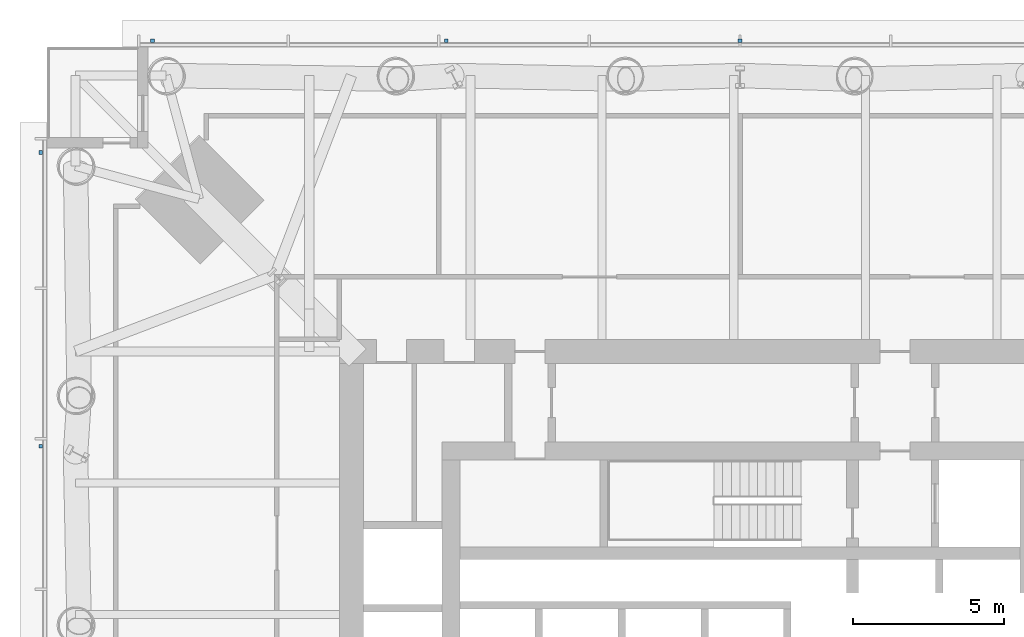
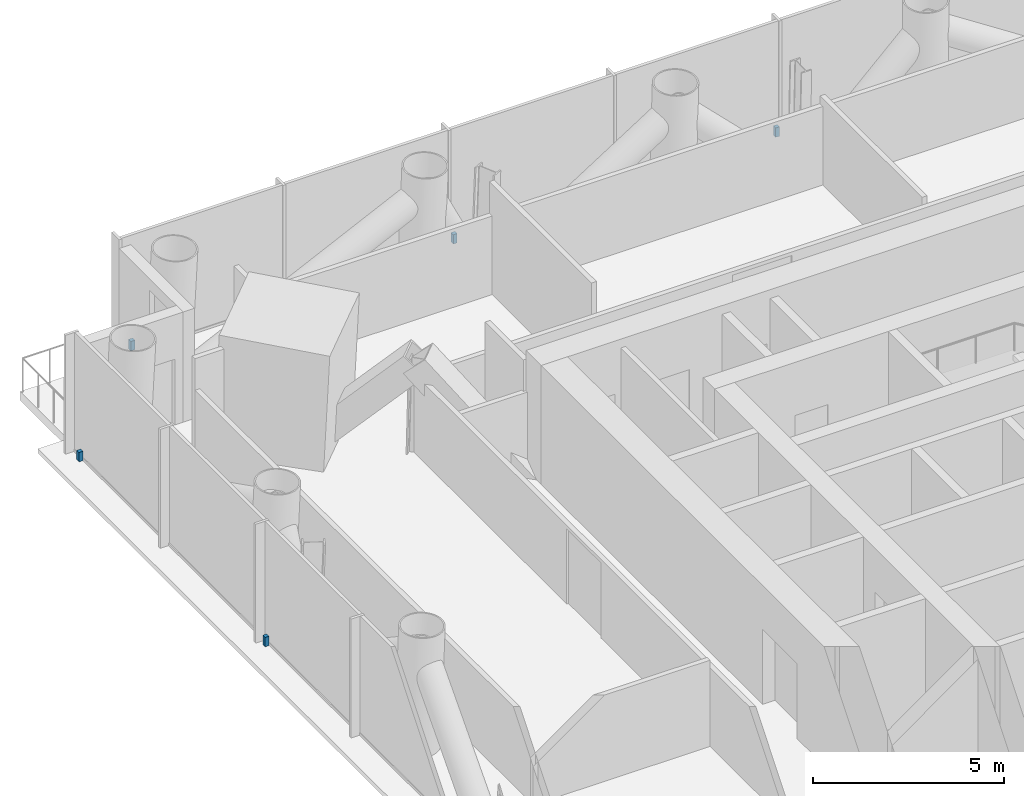
# One storey, part 19 of 28: 5 discrete accessories.
"""IFC4 building model written with IfcOpenShell, lengths in metres."""

from ifc_helpers import new_model, si_unit, direction, frame, origin, origin_2d, place, context, subcontext, project, spatial, rectangle, extrude, material, type_object, element, save


model = new_model("IFC4")

# Units and contexts
model_context = context("Model", 3, precision=1e-05, world=origin(), true_north=direction((0.0, 1.0)))
body_context = subcontext(model_context, "Body", "Model", "MODEL_VIEW")
ifc_project = project(units=[si_unit("LENGTHUNIT", "METRE"), si_unit("AREAUNIT", "SQUARE_METRE"), si_unit("VOLUMEUNIT", "CUBIC_METRE"), si_unit("PLANEANGLEUNIT", "RADIAN"), si_unit("MASSUNIT", "GRAM", prefix="KILO")], contexts=[model_context])

# Site, building, storey
site_placement = place(None, origin())
site = spatial("IfcSite", under=ifc_project, at=site_placement, CompositionType="ELEMENT")
building_placement = place(site_placement, origin())
building = spatial("IfcBuilding", under=site, at=building_placement, Name="Ostroluk Exchange", CompositionType="ELEMENT")
storey_placement = place(building_placement, frame((0.0, 0.0, 81.800048828125)))
storey = spatial("IfcBuildingStorey", under=building, at=storey_placement, Name="L20", CompositionType="ELEMENT", Elevation=81.800048828125)

# Discrete accessories
ifc_material = material(Name="Stainless steel", Category="steel")
discrete_accessory_type = type_object("IfcDiscreteAccessoryType", Name="Fall-arrest anchor PN-EN 795 type C", PredefinedType="USERDEFINED", material=ifc_material)
for number, where, z_axis, x_axis, name in (
    (1, (25.5, 69.2099609375, 0.0), (0.0, 0.0, 1.0), (1.0, 0.0, 0.0), "Fall-arrest anchor L20 north 1"),
    (2, (35.25, 69.2099609375, 0.0), (0.0, 0.0, 1.0), (1.0, 0.0, 0.0), "Fall-arrest anchor L20 north 2"),
    (3, (45.0, 69.2099609375, 0.0), (0.0, 0.0, 1.0), (1.0, 0.0, 0.0), "Fall-arrest anchor L20 north 3"),
    (4, (21.7900390625, 55.75, 0.0), (0.0, 0.0, 1.0), (1.0, 0.0, 0.0), "Fall-arrest anchor L20 west 4"),
    (5, (21.7900390625, 65.5, 0.0), (0.0, 0.0, 1.0), (1.0, 0.0, 0.0), "Fall-arrest anchor L20 west 5"),
):
    element("IfcDiscreteAccessory", number, at=place(storey_placement, frame(where, z_axis=z_axis, x_axis=x_axis)), inside=storey, type_object=discrete_accessory_type, Name=name, ObjectType="FALL ARREST ANCHOR", PredefinedType="USERDEFINED", context=body_context, shape_type="SweptSolid", body=[
        extrude(rectangle(XDim=0.1201171875, YDim=0.1201171875, at=origin_2d()), origin(), (0.0, 0.0, 1.0), 0.300048828125),
    ])

save(model, "model.ifc")
